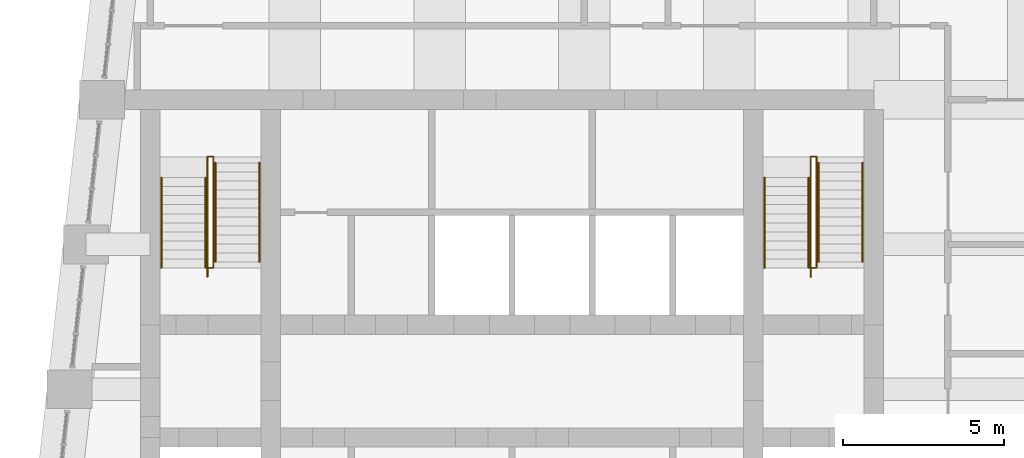
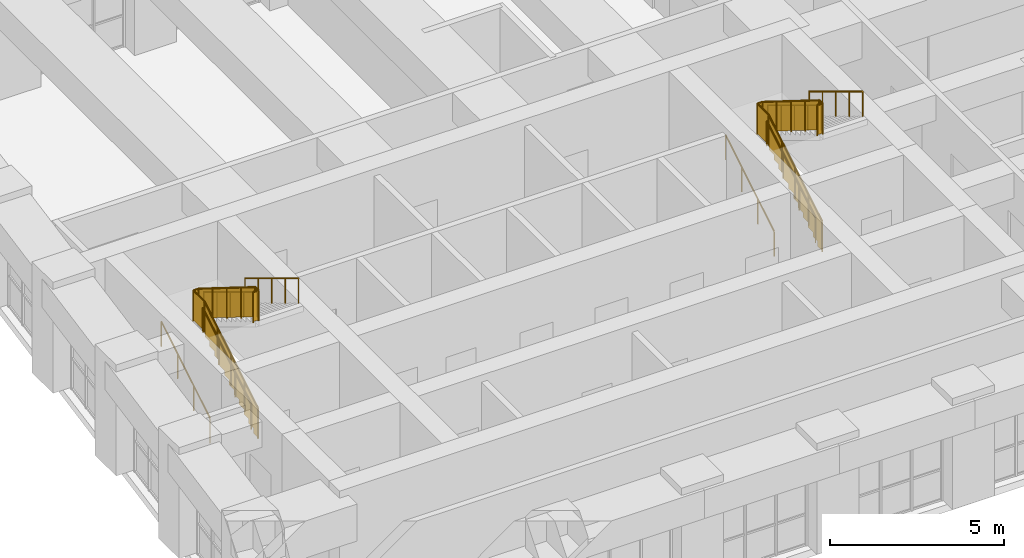
# One storey, part 18 of 18: 12 railings.
"""IFC4 building model written with IfcOpenShell, lengths in metres."""

import ifcopenshell
import ifcopenshell.guid

model = None  # the IFC model being written
_history = None  # IfcOwnerHistory: only IFC2X3 demands one
_inside = {}  # id of a spatial element -> (the spatial element, [elements in it])
_under = {}  # id of a project, library or spatial element -> (it, [spatial elements below it])
_declared = {}  # id of a project -> (the project, [libraries it declares])
_typed = {}  # id of a type object -> (the type object, [elements of that type])
_made_of = {}  # id of a material, layer set ... -> (it, [elements and type objects made of it])


def new_model(schema):
    """Start an empty IFC model of exactly this schema.

    Asked for "IFC4X3", IfcOpenShell would pick the latest addendum, in which some entities
    have other attributes; the version numbers below select the first issue.
    IFC2X3 requires an IfcOwnerHistory on every rooted entity: one is made here for all.
    """
    global model, _history
    if schema == "IFC4X3":
        model = ifcopenshell.file(schema_version=(4, 3, 0, 0))
    else:
        model = ifcopenshell.file(schema=schema)
    _inside.clear()
    _under.clear()
    _declared.clear()
    _typed.clear()
    _made_of.clear()
    _history = None
    if model.schema == "IFC2X3":
        org = make("IfcOrganization", Name="unknown")
        user = make(
            "IfcPersonAndOrganization",
            ThePerson=make("IfcPerson", FamilyName="unknown"),
            TheOrganization=org,
        )
        app = make(
            "IfcApplication",
            ApplicationDeveloper=org,
            Version="unknown",
            ApplicationFullName="unknown",
            ApplicationIdentifier="unknown",
        )
        _history = make(
            "IfcOwnerHistory",
            OwningUser=user,
            OwningApplication=app,
            ChangeAction="ADDED",
            CreationDate=0,
        )
    return model


def make(cls, **values):
    """One entity of the class cls with the attributes given. An attribute that is None is left unset."""
    return model.create_entity(
        cls, **{name: value for name, value in values.items() if value is not None}
    )


def rooted(cls, **values):
    """An entity with a GlobalId (a new one), such as an element, a storey or a relation."""
    return make(cls, GlobalId=ifcopenshell.guid.new(), OwnerHistory=_history, **values)


def si_unit(unit_type, name, prefix=None):
    """IfcSIUnit, for example si_unit("LENGTHUNIT", "METRE", prefix="MILLI")."""
    return make("IfcSIUnit", UnitType=unit_type, Prefix=prefix, Name=name)


def assignment(units):
    """IfcUnitAssignment: the units of a project."""
    return None if units is None else make("IfcUnitAssignment", Units=units)


def point(xyz):
    """IfcCartesianPoint."""
    return None if xyz is None else make("IfcCartesianPoint", Coordinates=xyz)


def direction(xyz):
    """IfcDirection."""
    return None if xyz is None else make("IfcDirection", DirectionRatios=xyz)


def frame(location, z_axis=None, x_axis=None):
    """IfcAxis2Placement3D, a coordinate frame: its origin and axes. An axis left out is left unset."""
    return make(
        "IfcAxis2Placement3D",
        Location=point(location),
        Axis=direction(z_axis),
        RefDirection=direction(x_axis),
    )


def frame_2d(location, x_axis=None):
    """IfcAxis2Placement2D, a coordinate frame in the plane: its origin and x axis."""
    return make(
        "IfcAxis2Placement2D", Location=point(location), RefDirection=direction(x_axis)
    )


def origin():
    """The frame at (0, 0, 0) with its axes left unset."""
    return frame((0.0, 0.0, 0.0))


def origin_2d():
    """The frame at (0, 0) in the plane with its x axis left unset."""
    return frame_2d((0.0, 0.0))


def place(relative_to, where):
    """IfcLocalPlacement: puts the frame where relative to a parent placement (None: the world)."""
    return make(
        "IfcLocalPlacement", PlacementRelTo=relative_to, RelativePlacement=where
    )


def context(
    kind, dimensions, precision=None, world=None, true_north=None, identifier=None
):
    """IfcGeometricRepresentationContext, for example the 3D "Model" context."""
    return make(
        "IfcGeometricRepresentationContext",
        ContextIdentifier=identifier,
        ContextType=kind,
        CoordinateSpaceDimension=dimensions,
        Precision=precision,
        WorldCoordinateSystem=world,
        TrueNorth=true_north,
    )


def subcontext(parent, identifier, kind, view, scale=None):
    """IfcGeometricRepresentationSubContext, for example "Body" below "Model"."""
    return make(
        "IfcGeometricRepresentationSubContext",
        ContextIdentifier=identifier,
        ContextType=kind,
        ParentContext=parent,
        TargetScale=scale,
        TargetView=view,
    )


def project(units=None, contexts=None):
    """IfcProject with its units and contexts."""
    return rooted(
        "IfcProject",
        Name="project",
        RepresentationContexts=contexts,
        UnitsInContext=assignment(units),
    )


def spatial(cls, under=None, at=None, **own):
    """A site, building, storey or space (cls), placed at a placement, below another one or the project."""
    s = rooted(cls, ObjectPlacement=at, **own)
    if under is not None:
        _under.setdefault(under.id(), (under, []))[1].append(s)
    return s


def polyline(points):
    """IfcPolyline through the points."""
    return make("IfcPolyline", Points=[point(p) for p in points])


def profile(cls, at=None, kind="AREA", **sizes):
    """A parametric profile (cls). Its sizes go by their IFC names, for example OverallWidth=200.0."""
    return make(cls, ProfileType=kind, Position=at, **sizes)


def circle(**sizes):
    """IfcCircleProfileDef."""
    return profile("IfcCircleProfileDef", **sizes)


def outline(outer, holes=None, kind="AREA"):
    """IfcArbitraryClosedProfileDef: a profile drawn as a closed curve; with holes, ...WithVoids."""
    if holes is None:
        return make("IfcArbitraryClosedProfileDef", ProfileType=kind, OuterCurve=outer)
    return make(
        "IfcArbitraryProfileDefWithVoids",
        ProfileType=kind,
        OuterCurve=outer,
        InnerCurves=holes,
    )


def extrude(swept, where, along, depth):
    """IfcExtrudedAreaSolid: the profile swept, set in the frame where, extruded along a direction by depth."""
    return make(
        "IfcExtrudedAreaSolid",
        SweptArea=swept,
        Position=where,
        ExtrudedDirection=direction(along),
        Depth=depth,
    )


def shape(context_of_items, identifier, shape_type, items):
    """IfcShapeRepresentation: the items that make up one representation, for example the "Body"."""
    return make(
        "IfcShapeRepresentation",
        ContextOfItems=context_of_items,
        RepresentationIdentifier=identifier,
        RepresentationType=shape_type,
        Items=items,
    )


def material(Name=None, Category=None):
    """IfcMaterial."""
    return make("IfcMaterial", Name=Name, Category=Category)


def made_of(thing, what):
    """Note that an element or type object is made of a material, layer set ...; save() writes the relation."""
    if what is not None:
        _made_of.setdefault(what.id(), (what, []))[1].append(thing)
    return thing


def type_object(cls, material=None, **own):
    """A type object (cls), such as IfcWallType, which elements share."""
    return made_of(rooted(cls, **own), material)


def element(
    cls,
    number,
    at=None,
    inside=None,
    cuts=None,
    type_object=None,
    material=None,
    context=None,
    identifier="Body",
    shape_type=None,
    held_by="IfcProductDefinitionShape",
    body=None,
    shapes=None,
    **own,
):
    """One element of the class cls, such as IfcWall. Its Tag is "e" and its number.

    at: its placement. inside: the storey or other place that contains it. cuts: it is an
    opening in that element (IfcRelVoidsElement). A single representation is given by context,
    identifier, shape_type and body (its items); several are given by shapes. held_by: the class
    of the entity that holds the representations. save() writes the other relations.
    """
    e = rooted(cls, Tag="e%d" % number, ObjectPlacement=at, **own)
    if body is not None:
        shapes = [shape(context, identifier, shape_type, body)]
    if shapes is not None:
        e.Representation = make(held_by, Representations=shapes)
    if inside is not None:
        _inside.setdefault(inside.id(), (inside, []))[1].append(e)
    if cuts is not None:
        rooted(
            "IfcRelVoidsElement", RelatingBuildingElement=cuts, RelatedOpeningElement=e
        )
    if type_object is not None:
        _typed.setdefault(type_object.id(), (type_object, []))[1].append(e)
    return made_of(e, material)


def aggregate(whole, parts):
    """IfcRelAggregates: a whole, such as a stair, and the parts it consists of."""
    return rooted("IfcRelAggregates", RelatingObject=whole, RelatedObjects=parts)


def save(model, path):
    """Write the relations noted so far, then the file.

    IfcRelAggregates (storeys below a building ...), IfcRelContainedInSpatialStructure (elements
    in a storey), IfcRelDefinesByType, IfcRelAssociatesMaterial and IfcRelDeclares: one each for
    every whole, place, type object, material and project.
    """
    for whole, parts in _under.values():
        aggregate(whole, parts)
    for where, things in _inside.values():
        rooted(
            "IfcRelContainedInSpatialStructure",
            RelatedElements=things,
            RelatingStructure=where,
        )
    for kind, things in _typed.values():
        rooted("IfcRelDefinesByType", RelatedObjects=things, RelatingType=kind)
    for what, things in _made_of.values():
        rooted("IfcRelAssociatesMaterial", RelatedObjects=things, RelatingMaterial=what)
    for by, libraries in _declared.values():
        rooted("IfcRelDeclares", RelatingContext=by, RelatedDefinitions=libraries)
    model.write(path)


model = new_model("IFC4")

# Units and contexts
model_context = context("Model", 3, precision=1e-05, world=origin(), true_north=direction((0.0, 1.0)))
body_context = subcontext(model_context, "Body", "Model", "MODEL_VIEW")
ifc_project = project(units=[si_unit("LENGTHUNIT", "METRE"), si_unit("AREAUNIT", "SQUARE_METRE"), si_unit("VOLUMEUNIT", "CUBIC_METRE"), si_unit("PLANEANGLEUNIT", "RADIAN"), si_unit("MASSUNIT", "GRAM", prefix="KILO")], contexts=[model_context])

# Site, building, storey
site_placement = place(None, origin())
site = spatial("IfcSite", under=ifc_project, at=site_placement, CompositionType="ELEMENT")
building_placement = place(site_placement, origin())
building = spatial("IfcBuilding", under=site, at=building_placement, Name="Kilele Tower Hotel", CompositionType="ELEMENT")
storey_placement = place(building_placement, frame((0.0, 0.0, 281.89990234375)))
storey = spatial("IfcBuildingStorey", under=building, at=storey_placement, Name="L72", CompositionType="ELEMENT", Elevation=281.89990234375)

# Railings
ifc_material_1 = material(Name="Steel handrail", Category="steel")
railing_type_1 = type_object("IfcRailingType", Name="Handrail 900", PredefinedType="HANDRAIL", material=ifc_material_1)
for number, where, name in (
    (1, (13.85009765625, 21.77490234375, 0.169677734375), "Handrail ST1 flight 1"),
    (2, (15.22509765625, 21.77490234375, 0.169677734375), "Handrail ST1 flight 1"),
):
    element("IfcRailing", number, at=place(storey_placement, frame(where)), inside=storey, type_object=railing_type_1, Name=name, PredefinedType="HANDRAIL", context=body_context, shape_type="SweptSolid", body=[
        extrude(circle(Radius=0.02490234375, at=origin_2d()), frame((0.0, 0.0, 0.875), z_axis=(0.0, 0.855393119324, 0.517979354234), x_axis=(-1.0, 0.0, 0.0)), (0.0, 0.0, 1.0), 3.2734375),
        extrude(circle(Radius=0.02001953125, at=origin_2d()), origin(), (0.0, 0.0, 1.0), 0.849853515625),
        extrude(circle(Radius=0.02001953125, at=origin_2d()), frame((0.0, 0.933349609375, 0.565185546875)), (0.0, 0.0, 1.0), 0.849853515625),
        extrude(circle(Radius=0.02001953125, at=origin_2d()), frame((0.0, 1.86669921875, 1.13037109375)), (0.0, 0.0, 1.0), 0.849853515625),
        extrude(circle(Radius=0.02001953125, at=origin_2d()), frame((0.0, 2.800048828125, 1.695556640625)), (0.0, 0.0, 1.0), 0.849853515625),
    ])
for number, where, name in (
    (3, (15.52490234375, 25.0400390625, 2.034912109375), "Handrail ST1 flight 2"),
    (4, (16.89990234375, 25.0400390625, 2.034912109375), "Handrail ST1 flight 2"),
):
    element("IfcRailing", number, at=place(storey_placement, frame(where)), inside=storey, type_object=railing_type_1, Name=name, PredefinedType="HANDRAIL", context=body_context, shape_type="SweptSolid", body=[
        extrude(circle(Radius=0.02490234375, at=origin_2d()), frame((0.0, 0.0, 0.875), z_axis=(0.0, -0.855379917629, 0.518001154937), x_axis=(1.0, 0.0, 0.0)), (0.0, 0.0, 1.0), 3.600830078125),
        extrude(circle(Radius=0.02001953125, at=origin_2d()), origin(), (0.0, 0.0, 1.0), 0.849853515625),
        extrude(circle(Radius=0.02001953125, at=origin_2d()), frame((0.0, -0.77001953125, 0.46630859375)), (0.0, 0.0, 1.0), 0.849853515625),
        extrude(circle(Radius=0.02001953125, at=origin_2d()), frame((0.0, -1.5400390625, 0.9326171875)), (0.0, 0.0, 1.0), 0.849853515625),
        extrude(circle(Radius=0.02001953125, at=origin_2d()), frame((0.0, -2.31005859375, 1.39892578125)), (0.0, 0.0, 1.0), 0.849853515625),
        extrude(circle(Radius=0.02001953125, at=origin_2d()), frame((0.0, -3.080078125, 1.865234375)), (0.0, 0.0, 1.0), 0.849853515625),
    ])
for number, where, name in (
    (5, (32.60009765625, 21.77490234375, 0.169677734375), "Handrail ST2 flight 1"),
    (6, (33.97509765625, 21.77490234375, 0.169677734375), "Handrail ST2 flight 1"),
):
    element("IfcRailing", number, at=place(storey_placement, frame(where)), inside=storey, type_object=railing_type_1, Name=name, PredefinedType="HANDRAIL", context=body_context, shape_type="SweptSolid", body=[
        extrude(circle(Radius=0.02490234375, at=origin_2d()), frame((0.0, 0.0, 0.875), z_axis=(0.0, 0.855393119324, 0.517979354234), x_axis=(-1.0, 0.0, 0.0)), (0.0, 0.0, 1.0), 3.2734375),
        extrude(circle(Radius=0.02001953125, at=origin_2d()), origin(), (0.0, 0.0, 1.0), 0.849853515625),
        extrude(circle(Radius=0.02001953125, at=origin_2d()), frame((0.0, 0.933349609375, 0.565185546875)), (0.0, 0.0, 1.0), 0.849853515625),
        extrude(circle(Radius=0.02001953125, at=origin_2d()), frame((0.0, 1.86669921875, 1.13037109375)), (0.0, 0.0, 1.0), 0.849853515625),
        extrude(circle(Radius=0.02001953125, at=origin_2d()), frame((0.0, 2.800048828125, 1.695556640625)), (0.0, 0.0, 1.0), 0.849853515625),
    ])
for number, where, name in (
    (7, (34.27490234375, 25.0400390625, 2.034912109375), "Handrail ST2 flight 2"),
    (8, (35.64990234375, 25.0400390625, 2.034912109375), "Handrail ST2 flight 2"),
):
    element("IfcRailing", number, at=place(storey_placement, frame(where)), inside=storey, type_object=railing_type_1, Name=name, PredefinedType="HANDRAIL", context=body_context, shape_type="SweptSolid", body=[
        extrude(circle(Radius=0.02490234375, at=origin_2d()), frame((0.0, 0.0, 0.875), z_axis=(0.0, -0.855379917629, 0.518001154937), x_axis=(1.0, 0.0, 0.0)), (0.0, 0.0, 1.0), 3.600830078125),
        extrude(circle(Radius=0.02001953125, at=origin_2d()), origin(), (0.0, 0.0, 1.0), 0.849853515625),
        extrude(circle(Radius=0.02001953125, at=origin_2d()), frame((0.0, -0.77001953125, 0.46630859375)), (0.0, 0.0, 1.0), 0.849853515625),
        extrude(circle(Radius=0.02001953125, at=origin_2d()), frame((0.0, -1.5400390625, 0.9326171875)), (0.0, 0.0, 1.0), 0.849853515625),
        extrude(circle(Radius=0.02001953125, at=origin_2d()), frame((0.0, -2.31005859375, 1.39892578125)), (0.0, 0.0, 1.0), 0.849853515625),
        extrude(circle(Radius=0.02001953125, at=origin_2d()), frame((0.0, -3.080078125, 1.865234375)), (0.0, 0.0, 1.0), 0.849853515625),
    ])
ifc_material_2 = material(Name="Steel guard", Category="steel")
railing_type_2 = type_object("IfcRailingType", Name="Stair guard 1100", PredefinedType="GUARDRAIL", material=ifc_material_2)
railing_1_placement = place(storey_placement, frame((15.284912109375, 21.4951171875, 0.0)))
element("IfcRailing", 9, at=railing_1_placement, inside=storey, type_object=railing_type_2, Name="Stair well guard ST1 flight 1", PredefinedType="GUARDRAIL", context=body_context, shape_type="SweptSolid", body=[
    extrude(circle(Radius=0.02490234375, at=origin_2d()), frame((0.0, 0.0, 1.0751953125), z_axis=(0.0, 0.855361723277, 0.518031198243), x_axis=(-1.0, 0.0, 0.0)), (0.0, 0.0, 1.0), 3.6005859375),
    extrude(circle(Radius=0.02490234375, at=origin_2d()), frame((0.0, 3.079833984375, 2.9404296875), z_axis=(0.0, 1.0, 0.0), x_axis=(-1.0, 0.0, 0.0)), (0.0, 0.0, 1.0), 0.650146484375),
    extrude(circle(Radius=0.02490234375, at=origin_2d()), frame((0.0, 3.72998046875, 2.9404296875), z_axis=(1.0, 0.0, 0.0), x_axis=(0.0, 1.0, 0.0)), (0.0, 0.0, 1.0), 0.18017578125),
    extrude(circle(Radius=0.02490234375, at=origin_2d()), origin(), (0.0, 0.0, 1.0), 1.050048828125),
    extrude(circle(Radius=0.02490234375, at=origin_2d()), frame((0.0, 0.77001953125, 0.46630859375)), (0.0, 0.0, 1.0), 1.050048828125),
    extrude(circle(Radius=0.02490234375, at=origin_2d()), frame((0.0, 1.5400390625, 0.9326171875)), (0.0, 0.0, 1.0), 1.050048828125),
    extrude(circle(Radius=0.02490234375, at=origin_2d()), frame((0.0, 2.309814453125, 1.39892578125)), (0.0, 0.0, 1.0), 1.050048828125),
    extrude(circle(Radius=0.02490234375, at=origin_2d()), frame((0.0, 3.079833984375, 1.865234375)), (0.0, 0.0, 1.0), 1.050048828125),
    extrude(circle(Radius=0.02490234375, at=origin_2d()), frame((0.0, 3.72998046875, 1.865234375)), (0.0, 0.0, 1.0), 1.050048828125),
    extrude(circle(Radius=0.02490234375, at=origin_2d()), frame((0.18017578125, 3.72998046875, 1.865234375)), (0.0, 0.0, 1.0), 1.050048828125),
    extrude(outline(polyline([(0.012451171875, 0.030029296875), (0.25, 0.030029296875), (0.25, 0.19970703125), (0.530029296875, 0.19970703125), (0.530029296875, 0.369140625), (0.809814453125, 0.369140625), (0.809814453125, 0.538818359375), (1.08984375, 0.538818359375), (1.08984375, 0.708251953125), (1.369873046875, 0.708251953125), (1.369873046875, 0.8779296875), (1.64990234375, 0.8779296875), (1.64990234375, 1.04736328125), (1.929931640625, 1.04736328125), (1.929931640625, 1.217041015625), (2.2099609375, 1.217041015625), (2.2099609375, 1.386474609375), (2.48974609375, 1.386474609375), (2.48974609375, 1.55615234375), (2.769775390625, 1.55615234375), (2.769775390625, 1.7255859375), (3.0498046875, 1.7255859375), (3.0498046875, 1.895263671875), (3.0673828125, 1.895263671875), (3.0673828125, 2.903564453125), (0.012451171875, 1.053466796875), (0.012451171875, 0.030029296875)])), frame((-0.005859375, 0.0, 0.0), z_axis=(1.0, 0.0, 0.0), x_axis=(0.0, 1.0, 0.0)), (0.0, 0.0, 1.0), 0.011962890625),
    extrude(outline(polyline([(0.012451171875, 0.030029296875), (0.6376953125, 0.030029296875), (0.6376953125, 1.050048828125), (0.012451171875, 1.050048828125), (0.012451171875, 0.030029296875)])), frame((-0.005859375, 3.079833984375, 1.865234375), z_axis=(1.0, 0.0, 0.0), x_axis=(0.0, 1.0, 0.0)), (0.0, 0.0, 1.0), 0.011962890625),
    extrude(outline(polyline([(0.012451171875, 0.030029296875), (0.18017578125, 0.030029296875), (0.18017578125, 1.050048828125), (0.012451171875, 1.050048828125), (0.012451171875, 0.030029296875)])), frame((0.0, 3.73583984375, 1.865234375), z_axis=(0.0, -1.0, 0.0), x_axis=(1.0, 0.0, 0.0)), (0.0, 0.0, 1.0), 0.011962890625),
])
railing_2_placement = place(storey_placement, frame((15.465087890625, 25.22509765625, 1.865234375)))
element("IfcRailing", 10, at=railing_2_placement, inside=storey, type_object=railing_type_2, Name="Stair well guard ST1 flight 2", PredefinedType="GUARDRAIL", context=body_context, shape_type="SweptSolid", body=[
    extrude(circle(Radius=0.02490234375, at=origin_2d()), frame((0.0, 0.0, 1.0751953125), z_axis=(0.0, -0.848674962302, 0.528914745834), x_axis=(1.0, 0.0, 0.0)), (0.0, 0.0, 1.0), 3.847412109375),
    extrude(circle(Radius=0.02490234375, at=origin_2d()), frame((0.0, -3.26513671875, 3.10986328125), z_axis=(0.0, -1.0, 0.0), x_axis=(1.0, 0.0, 0.0)), (0.0, 0.0, 1.0), 0.18505859375),
    extrude(circle(Radius=0.02490234375, at=origin_2d()), frame((0.0, -3.4501953125, 3.10986328125), z_axis=(-1.0, 0.0, 0.0), x_axis=(0.0, -1.0, 0.0)), (0.0, 0.0, 1.0), 0.18017578125),
    extrude(circle(Radius=0.02490234375, at=origin_2d()), origin(), (0.0, 0.0, 1.0), 1.050048828125),
    extrude(circle(Radius=0.02490234375, at=origin_2d()), frame((0.0, -0.81640625, 0.5087890625)), (0.0, 0.0, 1.0), 1.050048828125),
    extrude(circle(Radius=0.02490234375, at=origin_2d()), frame((0.0, -1.632568359375, 1.017578125)), (0.0, 0.0, 1.0), 1.050048828125),
    extrude(circle(Radius=0.02490234375, at=origin_2d()), frame((0.0, -2.44873046875, 1.526123046875)), (0.0, 0.0, 1.0), 1.050048828125),
    extrude(circle(Radius=0.02490234375, at=origin_2d()), frame((0.0, -3.26513671875, 2.034912109375)), (0.0, 0.0, 1.0), 1.050048828125),
    extrude(circle(Radius=0.02490234375, at=origin_2d()), frame((0.0, -3.4501953125, 2.034912109375)), (0.0, 0.0, 1.0), 1.050048828125),
    extrude(circle(Radius=0.02490234375, at=origin_2d()), frame((-0.18017578125, -3.4501953125, 2.034912109375)), (0.0, 0.0, 1.0), 1.050048828125),
    extrude(outline(polyline([(0.0, 0.030029296875), (3.252685546875, 2.05712890625), (3.252685546875, 3.07275390625), (0.0, 1.045654296875), (0.0, 0.030029296875)])), frame((0.005859375, 0.0, 0.0), z_axis=(-1.0, 0.0, 0.0), x_axis=(0.0, -1.0, 0.0)), (0.0, 0.0, 1.0), 0.011962890625),
    extrude(outline(polyline([(0.012451171875, 0.030029296875), (0.172607421875, 0.030029296875), (0.172607421875, 1.050048828125), (0.012451171875, 1.050048828125), (0.012451171875, 0.030029296875)])), frame((0.005859375, -3.26513671875, 2.034912109375), z_axis=(-1.0, 0.0, 0.0), x_axis=(0.0, -1.0, 0.0)), (0.0, 0.0, 1.0), 0.011962890625),
    extrude(outline(polyline([(0.012451171875, 0.030029296875), (0.18017578125, 0.030029296875), (0.18017578125, 1.050048828125), (0.012451171875, 1.050048828125), (0.012451171875, 0.030029296875)])), frame((0.0, -3.4560546875, 2.034912109375), z_axis=(0.0, 1.0, 0.0), x_axis=(-1.0, 0.0, 0.0)), (0.0, 0.0, 1.0), 0.011962890625),
])
railing_3_placement = place(storey_placement, frame((34.034912109375, 21.4951171875, 0.0)))
element("IfcRailing", 11, at=railing_3_placement, inside=storey, type_object=railing_type_2, Name="Stair well guard ST2 flight 1", PredefinedType="GUARDRAIL", context=body_context, shape_type="SweptSolid", body=[
    extrude(circle(Radius=0.02490234375, at=origin_2d()), frame((0.0, 0.0, 1.0751953125), z_axis=(0.0, 0.855361723277, 0.518031198243), x_axis=(-1.0, 0.0, 0.0)), (0.0, 0.0, 1.0), 3.6005859375),
    extrude(circle(Radius=0.02490234375, at=origin_2d()), frame((0.0, 3.079833984375, 2.9404296875), z_axis=(0.0, 1.0, 0.0), x_axis=(-1.0, 0.0, 0.0)), (0.0, 0.0, 1.0), 0.650146484375),
    extrude(circle(Radius=0.02490234375, at=origin_2d()), frame((0.0, 3.72998046875, 2.9404296875), z_axis=(1.0, 0.0, 0.0), x_axis=(0.0, 1.0, 0.0)), (0.0, 0.0, 1.0), 0.18017578125),
    extrude(circle(Radius=0.02490234375, at=origin_2d()), origin(), (0.0, 0.0, 1.0), 1.050048828125),
    extrude(circle(Radius=0.02490234375, at=origin_2d()), frame((0.0, 0.77001953125, 0.46630859375)), (0.0, 0.0, 1.0), 1.050048828125),
    extrude(circle(Radius=0.02490234375, at=origin_2d()), frame((0.0, 1.5400390625, 0.9326171875)), (0.0, 0.0, 1.0), 1.050048828125),
    extrude(circle(Radius=0.02490234375, at=origin_2d()), frame((0.0, 2.309814453125, 1.39892578125)), (0.0, 0.0, 1.0), 1.050048828125),
    extrude(circle(Radius=0.02490234375, at=origin_2d()), frame((0.0, 3.079833984375, 1.865234375)), (0.0, 0.0, 1.0), 1.050048828125),
    extrude(circle(Radius=0.02490234375, at=origin_2d()), frame((0.0, 3.72998046875, 1.865234375)), (0.0, 0.0, 1.0), 1.050048828125),
    extrude(circle(Radius=0.02490234375, at=origin_2d()), frame((0.18017578125, 3.72998046875, 1.865234375)), (0.0, 0.0, 1.0), 1.050048828125),
    extrude(outline(polyline([(0.012451171875, 0.030029296875), (0.25, 0.030029296875), (0.25, 0.19970703125), (0.530029296875, 0.19970703125), (0.530029296875, 0.369140625), (0.809814453125, 0.369140625), (0.809814453125, 0.538818359375), (1.08984375, 0.538818359375), (1.08984375, 0.708251953125), (1.369873046875, 0.708251953125), (1.369873046875, 0.8779296875), (1.64990234375, 0.8779296875), (1.64990234375, 1.04736328125), (1.929931640625, 1.04736328125), (1.929931640625, 1.217041015625), (2.2099609375, 1.217041015625), (2.2099609375, 1.386474609375), (2.48974609375, 1.386474609375), (2.48974609375, 1.55615234375), (2.769775390625, 1.55615234375), (2.769775390625, 1.7255859375), (3.0498046875, 1.7255859375), (3.0498046875, 1.895263671875), (3.0673828125, 1.895263671875), (3.0673828125, 2.903564453125), (0.012451171875, 1.053466796875), (0.012451171875, 0.030029296875)])), frame((-0.005859375, 0.0, 0.0), z_axis=(1.0, 0.0, 0.0), x_axis=(0.0, 1.0, 0.0)), (0.0, 0.0, 1.0), 0.011962890625),
    extrude(outline(polyline([(0.012451171875, 0.030029296875), (0.6376953125, 0.030029296875), (0.6376953125, 1.050048828125), (0.012451171875, 1.050048828125), (0.012451171875, 0.030029296875)])), frame((-0.005859375, 3.079833984375, 1.865234375), z_axis=(1.0, 0.0, 0.0), x_axis=(0.0, 1.0, 0.0)), (0.0, 0.0, 1.0), 0.011962890625),
    extrude(outline(polyline([(0.012451171875, 0.030029296875), (0.18017578125, 0.030029296875), (0.18017578125, 1.050048828125), (0.012451171875, 1.050048828125), (0.012451171875, 0.030029296875)])), frame((0.0, 3.73583984375, 1.865234375), z_axis=(0.0, -1.0, 0.0), x_axis=(1.0, 0.0, 0.0)), (0.0, 0.0, 1.0), 0.011962890625),
])
railing_4_placement = place(storey_placement, frame((34.215087890625, 25.22509765625, 1.865234375)))
element("IfcRailing", 12, at=railing_4_placement, inside=storey, type_object=railing_type_2, Name="Stair well guard ST2 flight 2", PredefinedType="GUARDRAIL", context=body_context, shape_type="SweptSolid", body=[
    extrude(circle(Radius=0.02490234375, at=origin_2d()), frame((0.0, 0.0, 1.0751953125), z_axis=(0.0, -0.848674962302, 0.528914745834), x_axis=(1.0, 0.0, 0.0)), (0.0, 0.0, 1.0), 3.847412109375),
    extrude(circle(Radius=0.02490234375, at=origin_2d()), frame((0.0, -3.26513671875, 3.10986328125), z_axis=(0.0, -1.0, 0.0), x_axis=(1.0, 0.0, 0.0)), (0.0, 0.0, 1.0), 0.18505859375),
    extrude(circle(Radius=0.02490234375, at=origin_2d()), frame((0.0, -3.4501953125, 3.10986328125), z_axis=(-1.0, 0.0, 0.0), x_axis=(0.0, -1.0, 0.0)), (0.0, 0.0, 1.0), 0.18017578125),
    extrude(circle(Radius=0.02490234375, at=origin_2d()), origin(), (0.0, 0.0, 1.0), 1.050048828125),
    extrude(circle(Radius=0.02490234375, at=origin_2d()), frame((0.0, -0.81640625, 0.5087890625)), (0.0, 0.0, 1.0), 1.050048828125),
    extrude(circle(Radius=0.02490234375, at=origin_2d()), frame((0.0, -1.632568359375, 1.017578125)), (0.0, 0.0, 1.0), 1.050048828125),
    extrude(circle(Radius=0.02490234375, at=origin_2d()), frame((0.0, -2.44873046875, 1.526123046875)), (0.0, 0.0, 1.0), 1.050048828125),
    extrude(circle(Radius=0.02490234375, at=origin_2d()), frame((0.0, -3.26513671875, 2.034912109375)), (0.0, 0.0, 1.0), 1.050048828125),
    extrude(circle(Radius=0.02490234375, at=origin_2d()), frame((0.0, -3.4501953125, 2.034912109375)), (0.0, 0.0, 1.0), 1.050048828125),
    extrude(circle(Radius=0.02490234375, at=origin_2d()), frame((-0.18017578125, -3.4501953125, 2.034912109375)), (0.0, 0.0, 1.0), 1.050048828125),
    extrude(outline(polyline([(0.0, 0.030029296875), (3.252685546875, 2.05712890625), (3.252685546875, 3.07275390625), (0.0, 1.045654296875), (0.0, 0.030029296875)])), frame((0.005859375, 0.0, 0.0), z_axis=(-1.0, 0.0, 0.0), x_axis=(0.0, -1.0, 0.0)), (0.0, 0.0, 1.0), 0.011962890625),
    extrude(outline(polyline([(0.012451171875, 0.030029296875), (0.172607421875, 0.030029296875), (0.172607421875, 1.050048828125), (0.012451171875, 1.050048828125), (0.012451171875, 0.030029296875)])), frame((0.005859375, -3.26513671875, 2.034912109375), z_axis=(-1.0, 0.0, 0.0), x_axis=(0.0, -1.0, 0.0)), (0.0, 0.0, 1.0), 0.011962890625),
    extrude(outline(polyline([(0.012451171875, 0.030029296875), (0.18017578125, 0.030029296875), (0.18017578125, 1.050048828125), (0.012451171875, 1.050048828125), (0.012451171875, 0.030029296875)])), frame((0.0, -3.4560546875, 2.034912109375), z_axis=(0.0, 1.0, 0.0), x_axis=(-1.0, 0.0, 0.0)), (0.0, 0.0, 1.0), 0.011962890625),
])

save(model, "model.ifc")
